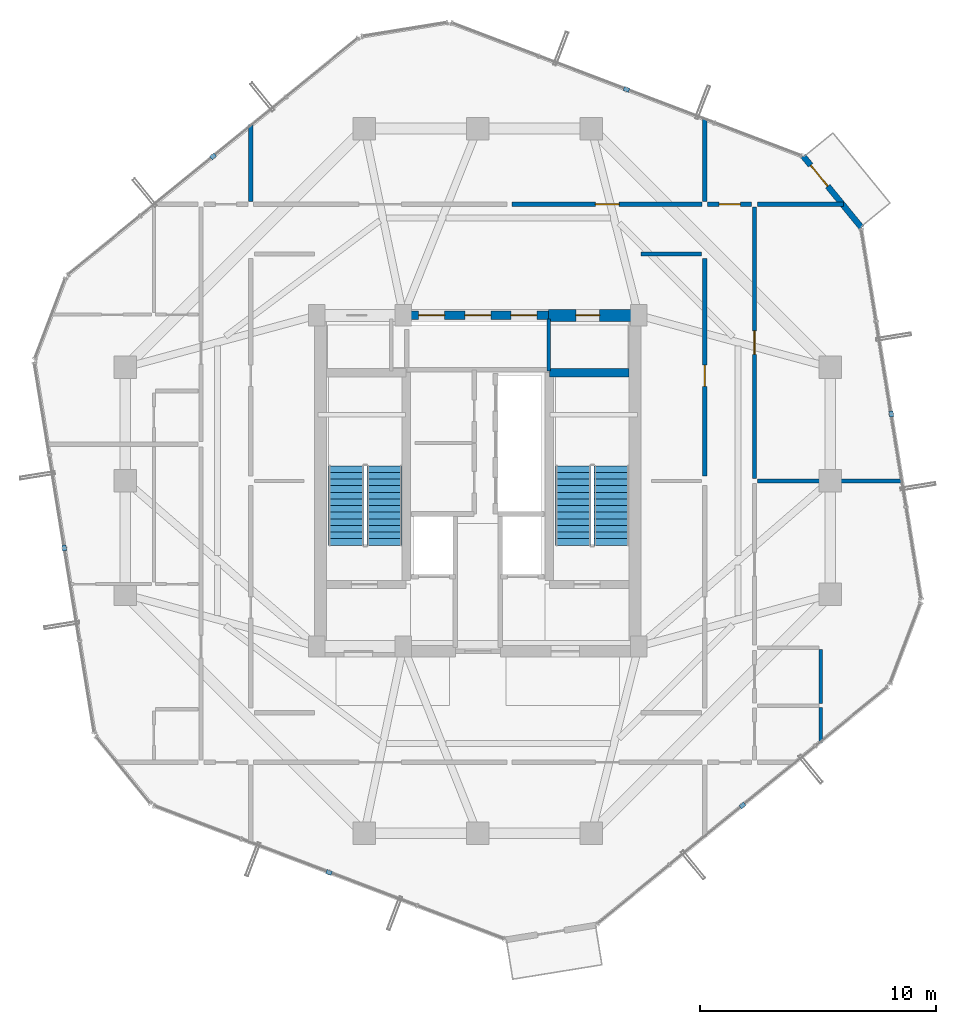
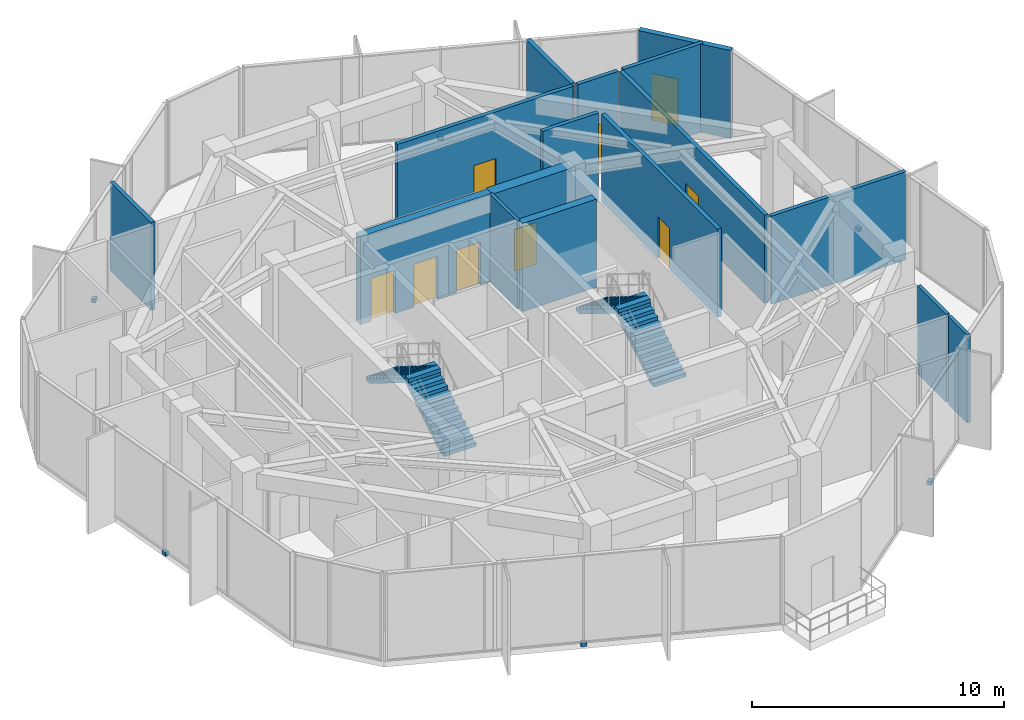
# One storey, part 20 of 22: 16 walls, 9 doors, 6 discrete accessories, 4 stair flights, 9 openings, 2 elements without a shape of their own.
"""IFC4 building model written with IfcOpenShell, lengths in metres."""

import ifcopenshell
import ifcopenshell.guid

model = None  # the IFC model being written
_history = None  # IfcOwnerHistory: only IFC2X3 demands one
_inside = {}  # id of a spatial element -> (the spatial element, [elements in it])
_under = {}  # id of a project, library or spatial element -> (it, [spatial elements below it])
_declared = {}  # id of a project -> (the project, [libraries it declares])
_typed = {}  # id of a type object -> (the type object, [elements of that type])
_made_of = {}  # id of a material, layer set ... -> (it, [elements and type objects made of it])


def new_model(schema):
    """Start an empty IFC model of exactly this schema.

    Asked for "IFC4X3", IfcOpenShell would pick the latest addendum, in which some entities
    have other attributes; the version numbers below select the first issue.
    IFC2X3 requires an IfcOwnerHistory on every rooted entity: one is made here for all.
    """
    global model, _history
    if schema == "IFC4X3":
        model = ifcopenshell.file(schema_version=(4, 3, 0, 0))
    else:
        model = ifcopenshell.file(schema=schema)
    _inside.clear()
    _under.clear()
    _declared.clear()
    _typed.clear()
    _made_of.clear()
    _history = None
    if model.schema == "IFC2X3":
        org = make("IfcOrganization", Name="unknown")
        user = make(
            "IfcPersonAndOrganization",
            ThePerson=make("IfcPerson", FamilyName="unknown"),
            TheOrganization=org,
        )
        app = make(
            "IfcApplication",
            ApplicationDeveloper=org,
            Version="unknown",
            ApplicationFullName="unknown",
            ApplicationIdentifier="unknown",
        )
        _history = make(
            "IfcOwnerHistory",
            OwningUser=user,
            OwningApplication=app,
            ChangeAction="ADDED",
            CreationDate=0,
        )
    return model


def make(cls, **values):
    """One entity of the class cls with the attributes given. An attribute that is None is left unset."""
    return model.create_entity(
        cls, **{name: value for name, value in values.items() if value is not None}
    )


def rooted(cls, **values):
    """An entity with a GlobalId (a new one), such as an element, a storey or a relation."""
    return make(cls, GlobalId=ifcopenshell.guid.new(), OwnerHistory=_history, **values)


def si_unit(unit_type, name, prefix=None):
    """IfcSIUnit, for example si_unit("LENGTHUNIT", "METRE", prefix="MILLI")."""
    return make("IfcSIUnit", UnitType=unit_type, Prefix=prefix, Name=name)


def assignment(units):
    """IfcUnitAssignment: the units of a project."""
    return None if units is None else make("IfcUnitAssignment", Units=units)


def point(xyz):
    """IfcCartesianPoint."""
    return None if xyz is None else make("IfcCartesianPoint", Coordinates=xyz)


def direction(xyz):
    """IfcDirection."""
    return None if xyz is None else make("IfcDirection", DirectionRatios=xyz)


def frame(location, z_axis=None, x_axis=None):
    """IfcAxis2Placement3D, a coordinate frame: its origin and axes. An axis left out is left unset."""
    return make(
        "IfcAxis2Placement3D",
        Location=point(location),
        Axis=direction(z_axis),
        RefDirection=direction(x_axis),
    )


def frame_2d(location, x_axis=None):
    """IfcAxis2Placement2D, a coordinate frame in the plane: its origin and x axis."""
    return make(
        "IfcAxis2Placement2D", Location=point(location), RefDirection=direction(x_axis)
    )


def origin():
    """The frame at (0, 0, 0) with its axes left unset."""
    return frame((0.0, 0.0, 0.0))


def origin_2d():
    """The frame at (0, 0) in the plane with its x axis left unset."""
    return frame_2d((0.0, 0.0))


def place(relative_to, where):
    """IfcLocalPlacement: puts the frame where relative to a parent placement (None: the world)."""
    return make(
        "IfcLocalPlacement", PlacementRelTo=relative_to, RelativePlacement=where
    )


def context(
    kind, dimensions, precision=None, world=None, true_north=None, identifier=None
):
    """IfcGeometricRepresentationContext, for example the 3D "Model" context."""
    return make(
        "IfcGeometricRepresentationContext",
        ContextIdentifier=identifier,
        ContextType=kind,
        CoordinateSpaceDimension=dimensions,
        Precision=precision,
        WorldCoordinateSystem=world,
        TrueNorth=true_north,
    )


def subcontext(parent, identifier, kind, view, scale=None):
    """IfcGeometricRepresentationSubContext, for example "Body" below "Model"."""
    return make(
        "IfcGeometricRepresentationSubContext",
        ContextIdentifier=identifier,
        ContextType=kind,
        ParentContext=parent,
        TargetScale=scale,
        TargetView=view,
    )


def project(units=None, contexts=None):
    """IfcProject with its units and contexts."""
    return rooted(
        "IfcProject",
        Name="project",
        RepresentationContexts=contexts,
        UnitsInContext=assignment(units),
    )


def spatial(cls, under=None, at=None, **own):
    """A site, building, storey or space (cls), placed at a placement, below another one or the project."""
    s = rooted(cls, ObjectPlacement=at, **own)
    if under is not None:
        _under.setdefault(under.id(), (under, []))[1].append(s)
    return s


def polyline(points):
    """IfcPolyline through the points."""
    return make("IfcPolyline", Points=[point(p) for p in points])


def profile(cls, at=None, kind="AREA", **sizes):
    """A parametric profile (cls). Its sizes go by their IFC names, for example OverallWidth=200.0."""
    return make(cls, ProfileType=kind, Position=at, **sizes)


def rectangle(**sizes):
    """IfcRectangleProfileDef."""
    return profile("IfcRectangleProfileDef", **sizes)


def outline(outer, holes=None, kind="AREA"):
    """IfcArbitraryClosedProfileDef: a profile drawn as a closed curve; with holes, ...WithVoids."""
    if holes is None:
        return make("IfcArbitraryClosedProfileDef", ProfileType=kind, OuterCurve=outer)
    return make(
        "IfcArbitraryProfileDefWithVoids",
        ProfileType=kind,
        OuterCurve=outer,
        InnerCurves=holes,
    )


def extrude(swept, where, along, depth):
    """IfcExtrudedAreaSolid: the profile swept, set in the frame where, extruded along a direction by depth."""
    return make(
        "IfcExtrudedAreaSolid",
        SweptArea=swept,
        Position=where,
        ExtrudedDirection=direction(along),
        Depth=depth,
    )


def shape(context_of_items, identifier, shape_type, items):
    """IfcShapeRepresentation: the items that make up one representation, for example the "Body"."""
    return make(
        "IfcShapeRepresentation",
        ContextOfItems=context_of_items,
        RepresentationIdentifier=identifier,
        RepresentationType=shape_type,
        Items=items,
    )


def source(mapping_origin, context_of_items, identifier, shape_type, items):
    """IfcRepresentationMap: a shape defined once, which mapped items show again and again."""
    return make(
        "IfcRepresentationMap",
        MappingOrigin=mapping_origin,
        MappedRepresentation=shape(context_of_items, identifier, shape_type, items),
    )


def transform(
    local_origin,
    x_axis=None,
    y_axis=None,
    z_axis=None,
    scale=None,
    scale2=None,
    scale3=None,
    uniform=True,
):
    """IfcCartesianTransformationOperator3D, or its non-uniform kind. x_axis, y_axis, z_axis: its Axis1, 2, 3."""
    if uniform:
        return make(
            "IfcCartesianTransformationOperator3D",
            Axis1=direction(x_axis),
            Axis2=direction(y_axis),
            LocalOrigin=point(local_origin),
            Scale=scale,
            Axis3=direction(z_axis),
        )
    return make(
        "IfcCartesianTransformationOperator3DnonUniform",
        Axis1=direction(x_axis),
        Axis2=direction(y_axis),
        LocalOrigin=point(local_origin),
        Scale=scale,
        Axis3=direction(z_axis),
        Scale2=scale2,
        Scale3=scale3,
    )


def mapped(mapping_source, mapping_target):
    """IfcMappedItem: shows the shape of a source again, moved by a transform."""
    return make(
        "IfcMappedItem", MappingSource=mapping_source, MappingTarget=mapping_target
    )


def material(Name=None, Category=None):
    """IfcMaterial."""
    return make("IfcMaterial", Name=Name, Category=Category)


def layer(
    of_material, thickness, ventilated=None, Name=None, Category=None, Priority=None
):
    """IfcMaterialLayer: one layer of a wall or slab, of a material (None: an air gap)."""
    return make(
        "IfcMaterialLayer",
        Material=of_material,
        LayerThickness=thickness,
        IsVentilated=ventilated,
        Name=Name,
        Category=Category,
        Priority=Priority,
    )


def layer_set(layers, Name=None):
    """IfcMaterialLayerSet."""
    return make("IfcMaterialLayerSet", MaterialLayers=layers, LayerSetName=Name)


def made_of(thing, what):
    """Note that an element or type object is made of a material, layer set ...; save() writes the relation."""
    if what is not None:
        _made_of.setdefault(what.id(), (what, []))[1].append(thing)
    return thing


def type_object(cls, material=None, **own):
    """A type object (cls), such as IfcWallType, which elements share."""
    return made_of(rooted(cls, **own), material)


def element(
    cls,
    number,
    at=None,
    inside=None,
    cuts=None,
    type_object=None,
    material=None,
    context=None,
    identifier="Body",
    shape_type=None,
    held_by="IfcProductDefinitionShape",
    body=None,
    shapes=None,
    **own,
):
    """One element of the class cls, such as IfcWall. Its Tag is "e" and its number.

    at: its placement. inside: the storey or other place that contains it. cuts: it is an
    opening in that element (IfcRelVoidsElement). A single representation is given by context,
    identifier, shape_type and body (its items); several are given by shapes. held_by: the class
    of the entity that holds the representations. save() writes the other relations.
    """
    e = rooted(cls, Tag="e%d" % number, ObjectPlacement=at, **own)
    if body is not None:
        shapes = [shape(context, identifier, shape_type, body)]
    if shapes is not None:
        e.Representation = make(held_by, Representations=shapes)
    if inside is not None:
        _inside.setdefault(inside.id(), (inside, []))[1].append(e)
    if cuts is not None:
        rooted(
            "IfcRelVoidsElement", RelatingBuildingElement=cuts, RelatedOpeningElement=e
        )
    if type_object is not None:
        _typed.setdefault(type_object.id(), (type_object, []))[1].append(e)
    return made_of(e, material)


def fill(opening, filler):
    """IfcRelFillsElement: the door or window that sits in an opening."""
    return rooted(
        "IfcRelFillsElement",
        RelatingOpeningElement=opening,
        RelatedBuildingElement=filler,
    )


def aggregate(whole, parts):
    """IfcRelAggregates: a whole, such as a stair, and the parts it consists of."""
    return rooted("IfcRelAggregates", RelatingObject=whole, RelatedObjects=parts)


def save(model, path):
    """Write the relations noted so far, then the file.

    IfcRelAggregates (storeys below a building ...), IfcRelContainedInSpatialStructure (elements
    in a storey), IfcRelDefinesByType, IfcRelAssociatesMaterial and IfcRelDeclares: one each for
    every whole, place, type object, material and project.
    """
    for whole, parts in _under.values():
        aggregate(whole, parts)
    for where, things in _inside.values():
        rooted(
            "IfcRelContainedInSpatialStructure",
            RelatedElements=things,
            RelatingStructure=where,
        )
    for kind, things in _typed.values():
        rooted("IfcRelDefinesByType", RelatedObjects=things, RelatingType=kind)
    for what, things in _made_of.values():
        rooted("IfcRelAssociatesMaterial", RelatedObjects=things, RelatingMaterial=what)
    for by, libraries in _declared.values():
        rooted("IfcRelDeclares", RelatingContext=by, RelatedDefinitions=libraries)
    model.write(path)


model = new_model("IFC4")

# Units and contexts
model_context = context("Model", 3, precision=1e-05, world=origin(), true_north=direction((0.0, 1.0)))
body_context = subcontext(model_context, "Body", "Model", "MODEL_VIEW")
ifc_project = project(units=[si_unit("LENGTHUNIT", "METRE"), si_unit("AREAUNIT", "SQUARE_METRE"), si_unit("VOLUMEUNIT", "CUBIC_METRE"), si_unit("PLANEANGLEUNIT", "RADIAN"), si_unit("MASSUNIT", "GRAM", prefix="KILO")], contexts=[model_context])

# Site, building, storey
site_placement = place(None, origin())
site = spatial("IfcSite", under=ifc_project, at=site_placement, CompositionType="ELEMENT")
building_placement = place(site_placement, origin())
building = spatial("IfcBuilding", under=site, at=building_placement, Name="Veraguas Prism Commons", CompositionType="ELEMENT")
storey_placement = place(building_placement, frame((0.0, 0.0, 174.35009765625)))
storey = spatial("IfcBuildingStorey", under=building, at=storey_placement, Name="L49", CompositionType="ELEMENT", Elevation=174.35009765625)

# Wall, openings, doors
ifc_material_1 = material(Name="Concrete C50/60", Category="concrete")
ifc_layer_1 = layer(ifc_material_1, 0.35009765625, Name="Core Internal Shear Wall Upper RC 350", Category="concrete")
ifc_layer_set_1 = layer_set([ifc_layer_1], Name="Concrete C50/60")
wall_type_1 = type_object("IfcWallType", Name="Core Internal Shear Wall Upper RC 350", PredefinedType="SHEAR", material=ifc_layer_set_1)
wall_1_placement = place(storey_placement, frame((21.0, 31.0, 0.0), z_axis=(0.0, 0.0, 1.0), x_axis=(1.0, 0.0, 0.0)))
wall_1 = element("IfcWall", 1, at=wall_1_placement, inside=storey, type_object=wall_type_1, Name="High-Rise Lift Bank Front Shear Wall L49", PredefinedType="SHEAR", context=body_context, shape_type="SweptSolid", body=[
    extrude(rectangle(XDim=6.0, YDim=0.35009765625, at=frame_2d((3.0, 0.0))), origin(), (0.0, 0.0, 1.0), 4.264892578125),
])
opening_1_placement = place(wall_1_placement, frame((0.5, 0.0, 0.0)))
opening_1 = element("IfcOpeningElement", 2, at=opening_1_placement, cuts=wall_1, Name="Opening LD-01", PredefinedType="OPENING", context=body_context, shape_type="SweptSolid", body=[
    extrude(rectangle(XDim=1.10009765625, YDim=2.080078125, at=frame_2d((0.550048828125, 1.0400390625))), frame((0.0, 0.18505859375, 0.0), z_axis=(0.0, -1.0, 0.0), x_axis=(1.0, 0.0, 0.0)), (0.0, 0.0, 1.0), 0.3701171875),
])
opening_2_placement = place(wall_1_placement, frame((2.449951171875, 0.0, 0.0)))
opening_2 = element("IfcOpeningElement", 3, at=opening_2_placement, cuts=wall_1, Name="Opening LD-01", PredefinedType="OPENING", context=body_context, shape_type="SweptSolid", body=[
    extrude(rectangle(XDim=1.10009765625, YDim=2.080078125, at=frame_2d((0.550048828125, 1.0400390625))), frame((0.0, 0.18505859375, 0.0), z_axis=(0.0, -1.0, 0.0), x_axis=(1.0, 0.0, 0.0)), (0.0, 0.0, 1.0), 0.3701171875),
])
opening_3_placement = place(wall_1_placement, frame((4.39990234375, 0.0, 0.0)))
opening_3 = element("IfcOpeningElement", 4, at=opening_3_placement, cuts=wall_1, Name="Opening LD-01", PredefinedType="OPENING", context=body_context, shape_type="SweptSolid", body=[
    extrude(rectangle(XDim=1.10009765625, YDim=2.080078125, at=frame_2d((0.550048828125, 1.0400390625))), frame((0.0, 0.18505859375, 0.0), z_axis=(0.0, -1.0, 0.0), x_axis=(1.0, 0.0, 0.0)), (0.0, 0.0, 1.0), 0.3701171875),
])
ifc_material_2 = material(Name="Stainless steel AISI 316", Category="steel")
door_type_1 = type_object("IfcDoorType", Name="Passenger Lift Sliding Landing Door 1100x2080", OperationType="NOTDEFINED", PredefinedType="DOOR", material=ifc_material_2)
shared_shape_1 = source(origin(), body_context, "Body", "SweptSolid", [
    extrude(rectangle(XDim=1.10009765625, YDim=2.080078125, at=frame_2d((0.550048828125, 1.0400390625))), frame((0.0, 0.02490234375, 0.0), z_axis=(0.0, -1.0, 0.0), x_axis=(1.0, 0.0, 0.0)), (0.0, 0.0, 1.0), 0.050048828125),
])
door_1_placement = place(opening_1_placement, origin())
door_1 = element("IfcDoor", 5, at=door_1_placement, inside=storey, type_object=door_type_1, Name="Sliding Landing Door PL-H1 L49", OperationType="SLIDING_TO_LEFT", OverallHeight=2.080078125, OverallWidth=1.10009765625, PredefinedType="DOOR", context=body_context, shape_type="MappedRepresentation", body=[
    mapped(shared_shape_1, transform((0.0, 0.0, 0.0), scale=1.0)),
])
fill(opening_1, door_1)
door_2_placement = place(opening_2_placement, origin())
door_2 = element("IfcDoor", 6, at=door_2_placement, inside=storey, type_object=door_type_1, Name="Sliding Landing Door PL-H2 L49", OperationType="SLIDING_TO_LEFT", OverallHeight=2.080078125, OverallWidth=1.10009765625, PredefinedType="DOOR", context=body_context, shape_type="MappedRepresentation", body=[
    mapped(shared_shape_1, transform((0.0, 0.0, 0.0), scale=1.0)),
])
fill(opening_2, door_2)
door_3_placement = place(opening_3_placement, origin())
door_3 = element("IfcDoor", 7, at=door_3_placement, inside=storey, type_object=door_type_1, Name="Sliding Landing Door PL-H3 L49", OperationType="SLIDING_TO_LEFT", OverallHeight=2.080078125, OverallWidth=1.10009765625, PredefinedType="DOOR", context=body_context, shape_type="MappedRepresentation", body=[
    mapped(shared_shape_1, transform((0.0, 0.0, 0.0), scale=1.0)),
])
fill(opening_3, door_3)

# Wall
wall_2_placement = place(storey_placement, frame((27.02490234375, 28.574951171875, 0.0), z_axis=(0.0, 0.0, 1.0), x_axis=(1.0, 0.0, 0.0)))
element("IfcWall", 8, at=wall_2_placement, inside=storey, type_object=wall_type_1, Name="Stair ST-02 North Shear Wall L49", PredefinedType="SHEAR", context=body_context, shape_type="SweptSolid", body=[
    extrude(rectangle(XDim=3.375, YDim=0.35009765625, at=frame_2d((1.6875, 0.0))), origin(), (0.0, 0.0, 1.0), 4.264892578125),
])

# Wall, opening, door
ifc_layer_2 = layer(ifc_material_1, 0.5, Name="Core Outer Shear Wall Upper RC 500", Category="concrete")
ifc_layer_set_2 = layer_set([ifc_layer_2], Name="Concrete C50/60")
wall_type_2 = type_object("IfcWallType", Name="Core Outer Shear Wall Upper RC 500", PredefinedType="SHEAR", material=ifc_layer_set_2)
wall_3_placement = place(storey_placement, frame((27.0, 31.0, 0.0), z_axis=(0.0, 0.0, 1.0), x_axis=(1.0, 0.0, 0.0)))
wall_3 = element("IfcWall", 9, at=wall_3_placement, inside=storey, type_object=wall_type_2, Name="Central Core North-East Shear Wall L49", PredefinedType="SHEAR", context=body_context, shape_type="SweptSolid", body=[
    extrude(rectangle(XDim=3.800048828125, YDim=0.5, at=frame_2d((1.89990234375, 0.0))), origin(), (0.0, 0.0, 1.0), 4.264892578125),
])
opening_4_placement = place(wall_3_placement, frame((1.14990234375, 0.0, 0.0)))
opening_4 = element("IfcOpeningElement", 10, at=opening_4_placement, cuts=wall_3, Name="Opening DR-13", PredefinedType="OPENING", context=body_context, shape_type="SweptSolid", body=[
    extrude(rectangle(XDim=1.0, YDim=2.010009765625, at=frame_2d((0.5, 1.0048828125))), frame((0.0, 0.260009765625, 0.0), z_axis=(0.0, -1.0, 0.0), x_axis=(1.0, 0.0, 0.0)), (0.0, 0.0, 1.0), 0.52001953125),
])
ifc_material_3 = material(Name="Steel fire-rated door assembly", Category="steel")
door_type_2 = type_object("IfcDoorType", Name="Core Accessible WC and Clinic Fire Door 1000x2010", OperationType="NOTDEFINED", PredefinedType="DOOR", material=ifc_material_3)
shared_shape_2 = source(origin(), body_context, "Body", "SweptSolid", [
    extrude(rectangle(XDim=1.0, YDim=2.010009765625, at=frame_2d((0.5, 1.0048828125))), frame((0.0, 0.02490234375, 0.0), z_axis=(0.0, -1.0, 0.0), x_axis=(1.0, 0.0, 0.0)), (0.0, 0.0, 1.0), 0.050048828125),
])
door_4_placement = place(opening_4_placement, origin())
door_4 = element("IfcDoor", 11, at=door_4_placement, inside=storey, type_object=door_type_2, Name="Core NE Pantry Door L49", OperationType="SINGLE_SWING_LEFT", OverallHeight=2.010009765625, OverallWidth=1.0, PredefinedType="DOOR", context=body_context, shape_type="MappedRepresentation", body=[
    mapped(shared_shape_2, transform((0.0, 0.0, 0.0), scale=1.0)),
])
fill(opening_4, door_4)

ifc_material_4 = material(Name="Autoclaved aerated masonry block 10 MPa", Category="masonry")
ifc_layer_3 = layer(ifc_material_4, 0.179931640625, Name="Corridor and Inter-Tenancy Partition 180", Category="masonry")
ifc_layer_set_3 = layer_set([ifc_layer_3], Name="Autoclaved aerated masonry block 10 MPa")
wall_type_3 = type_object("IfcWallType", Name="Corridor and Inter-Tenancy Partition 180", PredefinedType="PARTITIONING", material=ifc_layer_set_3)
wall_4_placement = place(storey_placement, frame((33.60009765625, 24.199951171875, 0.0), z_axis=(0.0, 0.0, 1.0), x_axis=(0.0, 1.0, 0.0)))
wall_4 = element("IfcWall", 12, at=wall_4_placement, inside=storey, type_object=wall_type_3, Name="WL-L49-IRE2", PredefinedType="PARTITIONING", context=body_context, shape_type="SweptSolid", body=[
    extrude(rectangle(XDim=9.199951171875, YDim=0.179931640625, at=frame_2d((4.60009765625, 0.0))), origin(), (0.0, 0.0, 1.0), 4.264892578125),
])
opening_5_placement = place(wall_4_placement, frame((3.800048828125, 0.0, 0.0)))
opening_5 = element("IfcOpeningElement", 13, at=opening_5_placement, cuts=wall_4, Name="Opening DR-14", PredefinedType="OPENING", context=body_context, shape_type="SweptSolid", body=[
    extrude(rectangle(XDim=0.89990234375, YDim=2.010009765625, at=frame_2d((0.449951171875, 1.0048828125))), frame((0.0, 0.099853515625, 0.0), z_axis=(0.0, -1.0, 0.0), x_axis=(1.0, 0.0, 0.0)), (0.0, 0.0, 1.0), 0.199951171875),
])
door_type_3 = type_object("IfcDoorType", Name="Core Service Room Fire Door 900x2010", OperationType="NOTDEFINED", PredefinedType="DOOR", material=ifc_material_3)
shared_shape_3 = source(origin(), body_context, "Body", "SweptSolid", [
    extrude(rectangle(XDim=0.89990234375, YDim=2.010009765625, at=frame_2d((0.449951171875, 1.0048828125))), frame((0.0, 0.02490234375, 0.0), z_axis=(0.0, -1.0, 0.0), x_axis=(1.0, 0.0, 0.0)), (0.0, 0.0, 1.0), 0.050048828125),
])
door_5_placement = place(opening_5_placement, origin())
door_5 = element("IfcDoor", 14, at=door_5_placement, inside=storey, type_object=door_type_3, Name="Community Reading Alcove Door L49", OperationType="SINGLE_SWING_LEFT", OverallHeight=2.010009765625, OverallWidth=0.89990234375, PredefinedType="DOOR", context=body_context, shape_type="MappedRepresentation", body=[
    mapped(shared_shape_3, transform((0.0, 0.0, 0.0), scale=1.0)),
])
fill(opening_5, door_5)

# Walls
wall_5_placement = place(storey_placement, frame((30.89990234375, 33.60009765625, 0.0), z_axis=(0.0, 0.0, 1.0), x_axis=(1.0, 0.0, 0.0)))
element("IfcWall", 15, at=wall_5_placement, inside=storey, type_object=wall_type_3, Name="WL-L49-IREN", PredefinedType="PARTITIONING", context=body_context, shape_type="SweptSolid", body=[
    extrude(rectangle(XDim=2.550048828125, YDim=0.179931640625, at=frame_2d((1.27490234375, 0.0))), origin(), (0.0, 0.0, 1.0), 4.264892578125),
])
wall_6_placement = place(storey_placement, frame((14.39990234375, 35.820068359375, 0.0), z_axis=(0.0, 0.0, 1.0), x_axis=(0.0, 1.0, 0.0)))
element("IfcWall", 16, at=wall_6_placement, inside=storey, type_object=wall_type_3, Name="WL-L49-PT005", PredefinedType="PARTITIONING", context=body_context, shape_type="SweptSolid", body=[
    extrude(rectangle(XDim=3.24267578125, YDim=0.179931640625, at=frame_2d((1.621337890625, 0.0))), origin(), (0.0, 0.0, 1.0), 4.264892578125),
])
wall_7_placement = place(storey_placement, frame((33.60009765625, 35.820068359375, 0.0), z_axis=(0.0, 0.0, 1.0), x_axis=(0.0, 1.0, 0.0)))
element("IfcWall", 17, at=wall_7_placement, inside=storey, type_object=wall_type_3, Name="WL-L49-PT006", PredefinedType="PARTITIONING", context=body_context, shape_type="SweptSolid", body=[
    extrude(rectangle(XDim=3.51025390625, YDim=0.179931640625, at=frame_2d((1.755126953125, 0.0))), origin(), (0.0, 0.0, 1.0), 4.264892578125),
])

# Wall, opening, door
wall_8_placement = place(storey_placement, frame((25.4541015625, 35.699951171875, 0.0), z_axis=(0.0, 0.0, 1.0), x_axis=(1.0, 0.0, 0.0)))
wall_8 = element("IfcWall", 18, at=wall_8_placement, inside=storey, type_object=wall_type_3, Name="WL-L49-PT008", PredefinedType="PARTITIONING", context=body_context, shape_type="SweptSolid", body=[
    extrude(rectangle(XDim=8.035888671875, YDim=0.179931640625, at=frame_2d((4.01806640625, 0.0))), origin(), (0.0, 0.0, 1.0), 4.264892578125),
])
opening_6_placement = place(wall_8_placement, frame((3.51806640625, 0.0, 0.0)))
opening_6 = element("IfcOpeningElement", 19, at=opening_6_placement, cuts=wall_8, Name="Opening DR-13", PredefinedType="OPENING", context=body_context, shape_type="SweptSolid", body=[
    extrude(rectangle(XDim=1.0, YDim=2.010009765625, at=frame_2d((0.5, 1.0048828125))), frame((0.0, 0.099853515625, 0.0), z_axis=(0.0, -1.0, 0.0), x_axis=(1.0, 0.0, 0.0)), (0.0, 0.0, 1.0), 0.199951171875),
])
door_6_placement = place(opening_6_placement, origin())
door_6 = element("IfcDoor", 20, at=door_6_placement, inside=storey, type_object=door_type_2, Name="Sky Lobby and Observation Concourse L49 Door 2", OperationType="SINGLE_SWING_LEFT", OverallHeight=2.010009765625, OverallWidth=1.0, PredefinedType="DOOR", context=body_context, shape_type="MappedRepresentation", body=[
    mapped(shared_shape_2, transform((0.0, 0.0, 0.0), scale=1.0)),
])
fill(opening_6, door_6)

# Wall
wall_9_placement = place(storey_placement, frame((35.820068359375, 35.699951171875, 0.0), z_axis=(0.0, 0.0, 1.0), x_axis=(1.0, 0.0, 0.0)))
element("IfcWall", 21, at=wall_9_placement, inside=storey, type_object=wall_type_3, Name="WL-L49-PT025", PredefinedType="PARTITIONING", context=body_context, shape_type="SweptSolid", body=[
    extrude(rectangle(XDim=3.636962890625, YDim=0.179931640625, at=frame_2d((1.818359375, 0.0))), origin(), (0.0, 0.0, 1.0), 4.264892578125),
])

# Wall, opening, door
wall_10_placement = place(storey_placement, frame((35.699951171875, 24.110107421875, 0.0), z_axis=(0.0, 0.0, 1.0), x_axis=(0.0, 1.0, 0.0)))
wall_10 = element("IfcWall", 22, at=wall_10_placement, inside=storey, type_object=wall_type_3, Name="WL-L49-PT029", PredefinedType="PARTITIONING", context=body_context, shape_type="SweptSolid", body=[
    extrude(rectangle(XDim=11.47998046875, YDim=0.179931640625, at=frame_2d((5.739990234375, 0.0))), origin(), (0.0, 0.0, 1.0), 4.264892578125),
])
opening_7_placement = place(wall_10_placement, frame((5.239990234375, 0.0, 0.0)))
opening_7 = element("IfcOpeningElement", 23, at=opening_7_placement, cuts=wall_10, Name="Opening DR-13", PredefinedType="OPENING", context=body_context, shape_type="SweptSolid", body=[
    extrude(rectangle(XDim=1.0, YDim=2.010009765625, at=frame_2d((0.5, 1.0048828125))), frame((0.0, 0.099853515625, 0.0), z_axis=(0.0, -1.0, 0.0), x_axis=(1.0, 0.0, 0.0)), (0.0, 0.0, 1.0), 0.199951171875),
])
door_7_placement = place(opening_7_placement, origin())
door_7 = element("IfcDoor", 24, at=door_7_placement, inside=storey, type_object=door_type_2, Name="Reading Lounge L49 Door", OperationType="SINGLE_SWING_LEFT", OverallHeight=2.010009765625, OverallWidth=1.0, PredefinedType="DOOR", context=body_context, shape_type="MappedRepresentation", body=[
    mapped(shared_shape_2, transform((0.0, 0.0, 0.0), scale=1.0)),
])
fill(opening_7, door_7)

# Wall
wall_11_placement = place(storey_placement, frame((35.820068359375, 24.0, 0.0), z_axis=(0.0, 0.0, 1.0), x_axis=(1.0, 0.0, 0.0)))
element("IfcWall", 25, at=wall_11_placement, inside=storey, type_object=wall_type_3, Name="WL-L49-PT034", PredefinedType="PARTITIONING", context=body_context, shape_type="SweptSolid", body=[
    extrude(rectangle(XDim=6.1513671875, YDim=0.179931640625, at=frame_2d((3.07568359375, 0.0))), origin(), (0.0, 0.0, 1.0), 4.264892578125),
])

# Wall, opening, door
wall_12_placement = place(storey_placement, frame((33.719970703125, 35.699951171875, 0.0), z_axis=(0.0, 0.0, 1.0), x_axis=(1.0, 0.0, 0.0)))
wall_12 = element("IfcWall", 26, at=wall_12_placement, inside=storey, type_object=wall_type_3, Name="WL-L49-PT038", PredefinedType="PARTITIONING", context=body_context, shape_type="SweptSolid", body=[
    extrude(rectangle(XDim=1.860107421875, YDim=0.179931640625, at=frame_2d((0.93017578125, 0.0))), origin(), (0.0, 0.0, 1.0), 4.264892578125),
])
opening_8_placement = place(wall_12_placement, frame((0.47998046875, 0.0, 0.0)))
opening_8 = element("IfcOpeningElement", 27, at=opening_8_placement, cuts=wall_12, Name="Opening DR-14", PredefinedType="OPENING", context=body_context, shape_type="SweptSolid", body=[
    extrude(rectangle(XDim=0.89990234375, YDim=2.010009765625, at=frame_2d((0.449951171875, 1.0048828125))), frame((0.0, 0.099853515625, 0.0), z_axis=(0.0, -1.0, 0.0), x_axis=(1.0, 0.0, 0.0)), (0.0, 0.0, 1.0), 0.199951171875),
])
door_8_placement = place(opening_8_placement, origin())
door_8 = element("IfcDoor", 28, at=door_8_placement, inside=storey, type_object=door_type_3, Name="Community Co-op Kitchen NE Door", OperationType="SINGLE_SWING_LEFT", OverallHeight=2.010009765625, OverallWidth=0.89990234375, PredefinedType="DOOR", context=body_context, shape_type="MappedRepresentation", body=[
    mapped(shared_shape_3, transform((0.0, 0.0, 0.0), scale=1.0)),
])
fill(opening_8, door_8)

ifc_material_5 = material(Name="Precast concrete C40/50", Category="concrete")
ifc_layer_4 = layer(ifc_material_5, 0.25, Name="External Loggia and Portal Wall 250", Category="concrete")
ifc_layer_set_4 = layer_set([ifc_layer_4], Name="Precast concrete C40/50")
wall_type_4 = type_object("IfcWallType", Name="External Loggia and Portal Wall 250", PredefinedType="SOLIDWALL", material=ifc_layer_set_4)
wall_13_placement = place(storey_placement, frame((40.226806640625, 34.708740234375, 0.0), z_axis=(0.0, 0.0, 1.0), x_axis=(-0.632044931416, 0.774931741943, 0.0)))
wall_13 = element("IfcWall", 29, at=wall_13_placement, inside=storey, type_object=wall_type_4, Name="Corner Loggia Wall L49-C1", PredefinedType="SOLIDWALL", context=body_context, shape_type="SweptSolid", body=[
    extrude(rectangle(XDim=3.91455078125, YDim=0.25, at=frame_2d((1.957275390625, 0.0))), origin(), (0.0, 0.0, 1.0), 4.264892578125),
])
opening_9_placement = place(wall_13_placement, frame((2.260009765625, 0.0, 0.0)))
opening_9 = element("IfcOpeningElement", 30, at=opening_9_placement, cuts=wall_13, Name="Opening DR-10", PredefinedType="OPENING", context=body_context, shape_type="SweptSolid", body=[
    extrude(rectangle(XDim=1.14990234375, YDim=2.25, at=frame_2d((0.574951171875, 1.125))), frame((0.0, 0.135009765625, 0.0), z_axis=(0.0, -1.0, 0.0), x_axis=(1.0, 0.0, 0.0)), (0.0, 0.0, 1.0), 0.27001953125),
])
ifc_material_6 = material(Name="Anodised aluminium EN AW-6063 T6", Category="aluminium")
door_type_4 = type_object("IfcDoorType", Name="Glazed Loggia and Terrace Door 1150x2250", OperationType="NOTDEFINED", PredefinedType="DOOR", material=ifc_material_6)
shared_shape_4 = source(origin(), body_context, "Body", "SweptSolid", [
    extrude(rectangle(XDim=1.14990234375, YDim=2.25, at=frame_2d((0.574951171875, 1.125))), frame((0.0, 0.02490234375, 0.0), z_axis=(0.0, -1.0, 0.0), x_axis=(1.0, 0.0, 0.0)), (0.0, 0.0, 1.0), 0.050048828125),
])
door_9_placement = place(opening_9_placement, frame((1.14990234375, 0.0, 0.0), z_axis=(0.0, 0.0, 1.0), x_axis=(-1.0, 0.0, 0.0)))
door_9 = element("IfcDoor", 31, at=door_9_placement, inside=storey, type_object=door_type_4, Name="Recessed Loggia Door L49-C1", OperationType="SINGLE_SWING_RIGHT", OverallHeight=2.25, OverallWidth=1.14990234375, PredefinedType="DOOR", context=body_context, shape_type="MappedRepresentation", body=[
    mapped(shared_shape_4, transform((0.0, 0.0, 0.0), scale=1.0)),
])
fill(opening_9, door_9)

# Walls
ifc_material_7 = material(Name="Lightweight acoustic gypsum board")
ifc_layer_5 = layer(ifc_material_7, 0.14990234375, Name="Wet Room and Clinic Acoustic Partition 150")
ifc_layer_set_5 = layer_set([ifc_layer_5], Name="Lightweight acoustic gypsum board")
wall_type_5 = type_object("IfcWallType", Name="Wet Room and Clinic Acoustic Partition 150", PredefinedType="PARTITIONING", material=ifc_layer_set_5)
wall_14_placement = place(storey_placement, frame((27.0, 28.64990234375, 0.0), z_axis=(0.0, 0.0, 1.0), x_axis=(0.0, 1.0, 0.0)))
element("IfcWall", 32, at=wall_14_placement, inside=storey, type_object=wall_type_5, Name="Core NE Service Inner Wall L49", PredefinedType="PARTITIONING", context=body_context, shape_type="SweptSolid", body=[
    extrude(rectangle(XDim=2.2001953125, YDim=0.14990234375, at=frame_2d((1.10009765625, 0.0))), origin(), (0.0, 0.0, 1.0), 4.264892578125),
])
wall_15_placement = place(storey_placement, frame((38.5, 12.93359375, 0.0), z_axis=(0.0, 0.0, 1.0), x_axis=(0.0, 1.0, 0.0)))
element("IfcWall", 33, at=wall_15_placement, inside=storey, type_object=wall_type_5, Name="WL-L49-PT032", PredefinedType="PARTITIONING", context=body_context, shape_type="SweptSolid", body=[
    extrude(rectangle(XDim=1.486328125, YDim=0.14990234375, at=frame_2d((0.7431640625, 0.0))), origin(), (0.0, 0.0, 1.0), 4.264892578125),
])
wall_16_placement = place(storey_placement, frame((38.5, 14.580078125, 0.0), z_axis=(0.0, 0.0, 1.0), x_axis=(0.0, 1.0, 0.0)))
element("IfcWall", 34, at=wall_16_placement, inside=storey, type_object=wall_type_5, Name="WL-L49-PT033", PredefinedType="PARTITIONING", context=body_context, shape_type="SweptSolid", body=[
    extrude(rectangle(XDim=2.2900390625, YDim=0.14990234375, at=frame_2d((1.14501953125, 0.0))), origin(), (0.0, 0.0, 1.0), 4.264892578125),
])

# Stair, stair flights
ifc_material_8 = material(Name="Precast concrete C45/55", Category="concrete")
stair_type = type_object("IfcStairType", Name="Dogleg Core Stair 1480W 26R 04", PredefinedType="HALF_TURN_STAIR", material=ifc_material_8)
stair_1_placement = place(storey_placement, origin())
stair_1 = element("IfcStair", 35, at=stair_1_placement, inside=storey, type_object=stair_type, Name="Protected Exit Stair ST-01 L49", PredefinedType="HALF_TURN_STAIR")
stair_flight_type = type_object("IfcStairFlightType", Name="Precast Stair Flight 1480W 13R 04", PredefinedType="STRAIGHT", material=ifc_material_8)
stair_flight_1_placement = place(storey_placement, frame((20.06005859375, 21.280029296875, 0.0), z_axis=(0.0, 0.0, 1.0), x_axis=(0.0, 1.0, 0.0)))
stair_flight_1 = element("IfcStairFlight", 36, at=stair_flight_1_placement, type_object=stair_flight_type, Name="ST-04 Flight 1", NumberOfRisers=13, NumberOfTreads=12, PredefinedType="STRAIGHT", RiserHeight=0.173076923, TreadLength=0.28, context=body_context, shape_type="SweptSolid", body=[
    extrude(outline(polyline([(0.0, 0.0), (0.0, 0.173095703125), (0.280029296875, 0.173095703125), (0.280029296875, 0.34619140625), (0.56005859375, 0.34619140625), (0.56005859375, 0.519287109375), (0.840087890625, 0.519287109375), (0.840087890625, 0.6923828125), (1.1201171875, 0.6923828125), (1.1201171875, 0.865478515625), (1.39990234375, 0.865478515625), (1.39990234375, 1.03857421875), (1.679931640625, 1.03857421875), (1.679931640625, 1.21142578125), (1.9599609375, 1.21142578125), (1.9599609375, 1.384521484375), (2.239990234375, 1.384521484375), (2.239990234375, 1.5576171875), (2.52001953125, 1.5576171875), (2.52001953125, 1.730712890625), (2.800048828125, 1.730712890625), (2.800048828125, 1.90380859375), (3.080078125, 1.90380859375), (3.080078125, 2.076904296875), (3.360107421875, 2.076904296875), (3.360107421875, 2.25), (3.360107421875, 1.900634765625), (0.28515625, 0.0), (0.0, 0.0)])), frame((0.0, 0.739990234375, 0.0), z_axis=(0.0, -1.0, 0.0), x_axis=(1.0, 0.0, 0.0)), (0.0, 0.0, 1.0), 1.47998046875),
])
stair_flight_2_placement = place(storey_placement, frame((18.429931640625, 24.639892578125, 2.25), z_axis=(0.0, 0.0, 1.0), x_axis=(0.0, -1.0, 0.0)))
stair_flight_2 = element("IfcStairFlight", 37, at=stair_flight_2_placement, type_object=stair_flight_type, Name="ST-04 Flight 2", NumberOfRisers=13, NumberOfTreads=12, PredefinedType="STRAIGHT", RiserHeight=0.173076923, TreadLength=0.28, context=body_context, shape_type="SweptSolid", body=[
    extrude(outline(polyline([(0.0, 0.0), (0.0, 0.173095703125), (0.280029296875, 0.173095703125), (0.280029296875, 0.34619140625), (0.56005859375, 0.34619140625), (0.56005859375, 0.519287109375), (0.840087890625, 0.519287109375), (0.840087890625, 0.6923828125), (1.1201171875, 0.6923828125), (1.1201171875, 0.865478515625), (1.39990234375, 0.865478515625), (1.39990234375, 1.03857421875), (1.679931640625, 1.03857421875), (1.679931640625, 1.21142578125), (1.9599609375, 1.21142578125), (1.9599609375, 1.384521484375), (2.239990234375, 1.384521484375), (2.239990234375, 1.5576171875), (2.52001953125, 1.5576171875), (2.52001953125, 1.730712890625), (2.800048828125, 1.730712890625), (2.800048828125, 1.90380859375), (3.080078125, 1.90380859375), (3.080078125, 2.076904296875), (3.360107421875, 2.076904296875), (3.360107421875, 2.25), (3.360107421875, 1.900634765625), (0.28515625, 0.0), (0.0, 0.0)])), frame((0.0, 0.739990234375, 0.0), z_axis=(0.0, -1.0, 0.0), x_axis=(1.0, 0.0, 0.0)), (0.0, 0.0, 1.0), 1.47998046875),
])
aggregate(stair_1, [stair_flight_1, stair_flight_2])

stair_2_placement = place(storey_placement, origin())
stair_2 = element("IfcStair", 38, at=stair_2_placement, inside=storey, type_object=stair_type, Name="Protected Exit Stair ST-02 L49", PredefinedType="HALF_TURN_STAIR")
stair_flight_3_placement = place(storey_placement, frame((29.659912109375, 21.280029296875, 0.0), z_axis=(0.0, 0.0, 1.0), x_axis=(0.0, 1.0, 0.0)))
stair_flight_3 = element("IfcStairFlight", 39, at=stair_flight_3_placement, type_object=stair_flight_type, Name="ST-04 Flight 1", NumberOfRisers=13, NumberOfTreads=12, PredefinedType="STRAIGHT", RiserHeight=0.173076923, TreadLength=0.28, context=body_context, shape_type="SweptSolid", body=[
    extrude(outline(polyline([(0.0, 0.0), (0.0, 0.173095703125), (0.280029296875, 0.173095703125), (0.280029296875, 0.34619140625), (0.56005859375, 0.34619140625), (0.56005859375, 0.519287109375), (0.840087890625, 0.519287109375), (0.840087890625, 0.6923828125), (1.1201171875, 0.6923828125), (1.1201171875, 0.865478515625), (1.39990234375, 0.865478515625), (1.39990234375, 1.03857421875), (1.679931640625, 1.03857421875), (1.679931640625, 1.21142578125), (1.9599609375, 1.21142578125), (1.9599609375, 1.384521484375), (2.239990234375, 1.384521484375), (2.239990234375, 1.5576171875), (2.52001953125, 1.5576171875), (2.52001953125, 1.730712890625), (2.800048828125, 1.730712890625), (2.800048828125, 1.90380859375), (3.080078125, 1.90380859375), (3.080078125, 2.076904296875), (3.360107421875, 2.076904296875), (3.360107421875, 2.25), (3.360107421875, 1.900634765625), (0.28515625, 0.0), (0.0, 0.0)])), frame((0.0, 0.739990234375, 0.0), z_axis=(0.0, -1.0, 0.0), x_axis=(1.0, 0.0, 0.0)), (0.0, 0.0, 1.0), 1.47998046875),
])
stair_flight_4_placement = place(storey_placement, frame((28.030029296875, 24.639892578125, 2.25), z_axis=(0.0, 0.0, 1.0), x_axis=(0.0, -1.0, 0.0)))
stair_flight_4 = element("IfcStairFlight", 40, at=stair_flight_4_placement, type_object=stair_flight_type, Name="ST-04 Flight 2", NumberOfRisers=13, NumberOfTreads=12, PredefinedType="STRAIGHT", RiserHeight=0.173076923, TreadLength=0.28, context=body_context, shape_type="SweptSolid", body=[
    extrude(outline(polyline([(0.0, 0.0), (0.0, 0.173095703125), (0.280029296875, 0.173095703125), (0.280029296875, 0.34619140625), (0.56005859375, 0.34619140625), (0.56005859375, 0.519287109375), (0.840087890625, 0.519287109375), (0.840087890625, 0.6923828125), (1.1201171875, 0.6923828125), (1.1201171875, 0.865478515625), (1.39990234375, 0.865478515625), (1.39990234375, 1.03857421875), (1.679931640625, 1.03857421875), (1.679931640625, 1.21142578125), (1.9599609375, 1.21142578125), (1.9599609375, 1.384521484375), (2.239990234375, 1.384521484375), (2.239990234375, 1.5576171875), (2.52001953125, 1.5576171875), (2.52001953125, 1.730712890625), (2.800048828125, 1.730712890625), (2.800048828125, 1.90380859375), (3.080078125, 1.90380859375), (3.080078125, 2.076904296875), (3.360107421875, 2.076904296875), (3.360107421875, 2.25), (3.360107421875, 1.900634765625), (0.28515625, 0.0), (0.0, 0.0)])), frame((0.0, 0.739990234375, 0.0), z_axis=(0.0, -1.0, 0.0), x_axis=(1.0, 0.0, 0.0)), (0.0, 0.0, 1.0), 1.47998046875),
])
aggregate(stair_2, [stair_flight_3, stair_flight_4])

# Discrete accessories
discrete_accessory_type = type_object("IfcDiscreteAccessoryType", Name="Facade Fin Support Bracket", PredefinedType="BRACKET", material=ifc_material_2)
shared_shape_5 = source(origin(), body_context, "Body", "SweptSolid", [
    extrude(rectangle(XDim=0.239990234375, YDim=0.179931640625, at=origin_2d()), origin(), (0.0, 0.0, 1.0), 0.179931640625),
])
for number, where, z_axis, x_axis, name in (
    (41, (30.2890625, 40.555908203125, -0.169921875), (0.0, 0.0, 1.0), (-0.934825056616, 0.355108593986, 0.0), "Solar Fin Support Bracket L49-F1"),
    (42, (12.806640625, 37.724365234375, -0.169921875), (0.0, 0.0, 1.0), (-0.774943385604, -0.632030655197, 0.0), "Solar Fin Support Bracket L49-F2"),
    (43, (6.517578125, 21.16845703125, -0.169921875), (0.0, 0.0, 1.0), (0.159876019056, -0.987137102195, 0.0), "Solar Fin Support Bracket L49-F3"),
    (44, (17.7109375, 7.444091796875, -0.169921875), (0.0, 0.0, 1.0), (0.934825056616, -0.355108593986, 0.0), "Solar Fin Support Bracket L49-F4"),
    (45, (35.193359375, 10.275634765625, -0.169921875), (0.0, 0.0, 1.0), (0.774943385604, 0.632030655197, 0.0), "Solar Fin Support Bracket L49-F5"),
    (46, (41.482421875, 26.83154296875, -0.169921875), (0.0, 0.0, 1.0), (-0.159876019056, 0.987137102195, 0.0), "Solar Fin Support Bracket L49-F6"),
):
    element("IfcDiscreteAccessory", number, at=place(storey_placement, frame(where, z_axis=z_axis, x_axis=x_axis)), inside=storey, type_object=discrete_accessory_type, Name=name, PredefinedType="BRACKET", context=body_context, shape_type="MappedRepresentation", body=[
        mapped(shared_shape_5, transform((0.0, 0.0, 0.0), scale=1.0)),
    ])

save(model, "model.ifc")
